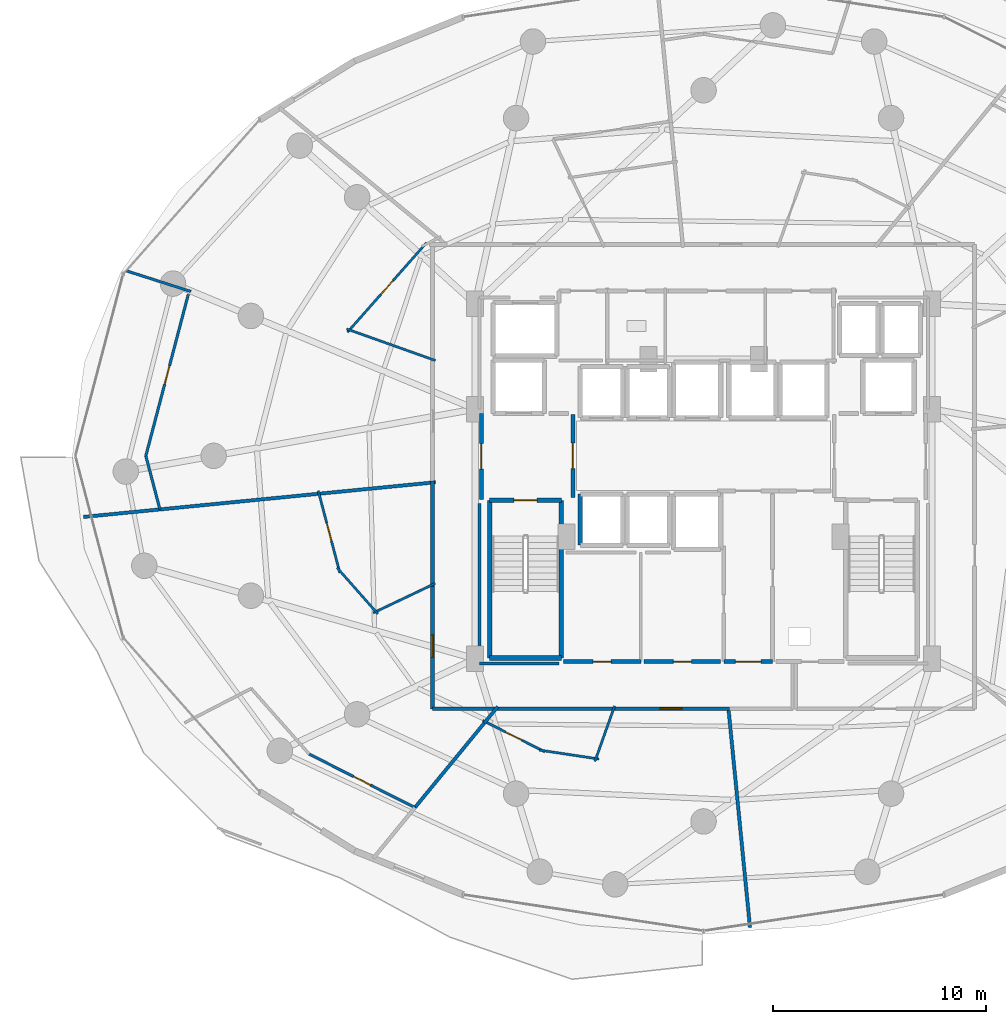
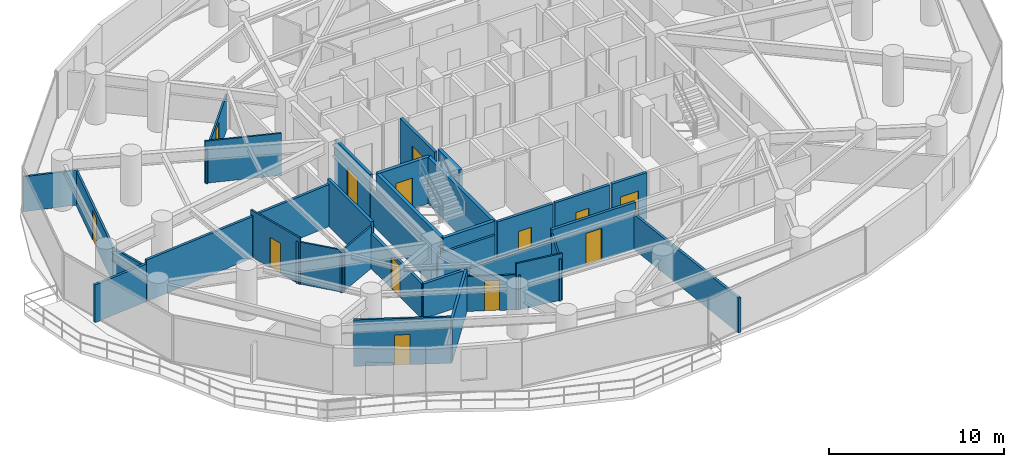
# One storey, part 26 of 33: 35 walls, 13 doors, 13 openings.
"""IFC4 building model written with IfcOpenShell, lengths in metres."""

from ifc_helpers import new_model, si_unit, direction, frame, frame_2d, origin, place, context, subcontext, project, spatial, rectangle, extrude, material, layer, layer_set, type_object, element, fill, save


model = new_model("IFC4")

# Units and contexts
model_context = context("Model", 3, precision=1e-05, world=origin(), true_north=direction((0.0, 1.0)))
body_context = subcontext(model_context, "Body", "Model", "MODEL_VIEW")
ifc_project = project(units=[si_unit("LENGTHUNIT", "METRE"), si_unit("AREAUNIT", "SQUARE_METRE"), si_unit("VOLUMEUNIT", "CUBIC_METRE"), si_unit("PLANEANGLEUNIT", "RADIAN"), si_unit("MASSUNIT", "GRAM", prefix="KILO")], contexts=[model_context])

# Site, building, storey
site_placement = place(None, origin())
site = spatial("IfcSite", under=ifc_project, at=site_placement, CompositionType="ELEMENT")
building_placement = place(site_placement, origin())
building = spatial("IfcBuilding", under=site, at=building_placement, Name="Vorneva Point Tower", CompositionType="ELEMENT")
storey_placement = place(building_placement, frame((0.0, 0.0, 59.0)))
storey = spatial("IfcBuildingStorey", under=building, at=storey_placement, Name="L15", CompositionType="ELEMENT", Elevation=59.0)

# Wall
ifc_material_1 = material(Name="Fire-rated acoustic gypsum stud partition", Category="gypsum")
ifc_layer_1 = layer(ifc_material_1, 0.110107421875)
ifc_layer_set_1 = layer_set([ifc_layer_1], Name="Fire-rated acoustic gypsum stud partition")
wall_type_1 = type_object("IfcWallType", Name="WL-PART-110", PredefinedType="PARTITIONING", material=ifc_layer_set_1)
wall_1_placement = place(storey_placement, frame((25.3818359375, 30.487060546875, 0.0), z_axis=(0.0, 0.0, 1.0), x_axis=(-0.942199995763, 0.335050993111, 0.0)))
element("IfcWall", 1, at=wall_1_placement, inside=storey, type_object=wall_type_1, Name="L15 Interior Partition 072", PredefinedType="PARTITIONING", context=body_context, shape_type="SweptSolid", body=[
    extrude(rectangle(XDim=4.428955078125, YDim=0.110107421875, at=frame_2d((2.21435546875, 0.0))), origin(), (0.0, 0.0, 1.0), 2.928955078125),
])

# Wall, opening, door
wall_2_placement = place(storey_placement, frame((21.248291015625, 31.819091796875, 0.0), z_axis=(0.0, 0.0, 1.0), x_axis=(0.662135950736, 0.749383735307, 0.0)))
wall_2 = element("IfcWall", 2, at=wall_2_placement, inside=storey, type_object=wall_type_1, Name="L15 Interior Partition 073", PredefinedType="PARTITIONING", context=body_context, shape_type="SweptSolid", body=[
    extrude(rectangle(XDim=5.618896484375, YDim=0.110107421875, at=frame_2d((2.8095703125, 0.0))), origin(), (0.0, 0.0, 1.0), 2.431884765625),
])
opening_1_placement = place(wall_2_placement, frame((2.384521484375, 0.0, 0.0)))
opening_1 = element("IfcOpeningElement", 3, at=opening_1_placement, cuts=wall_2, Name="Opening ID-02", PredefinedType="OPENING", context=body_context, shape_type="SweptSolid", body=[
    extrude(rectangle(XDim=0.85009765625, YDim=2.10009765625, at=frame_2d((0.425048828125, 1.050048828125))), frame((0.0, 0.06982421875, 0.0), z_axis=(0.0, -1.0, 0.0), x_axis=(1.0, 0.0, 0.0)), (0.0, 0.0, 1.0), 0.139892578125),
])
ifc_material_2 = material(Name="Engineered oak fire-rated door leaf", Category="wood")
door_type_1 = type_object("IfcDoorType", Name="DR-BATH-850", OperationType="NOTDEFINED", PredefinedType="DOOR", material=ifc_material_2)
door_1_placement = place(opening_1_placement, origin())
door_1 = element("IfcDoor", 4, at=door_1_placement, inside=storey, type_object=door_type_1, Name="L15 Door Junior Suite L15-04 / En-Suite Bathroom L15-04", OperationType="SINGLE_SWING_LEFT", OverallHeight=2.10009765625, OverallWidth=0.85009765625, PredefinedType="DOOR", context=body_context, shape_type="SweptSolid", body=[
    extrude(rectangle(XDim=0.85009765625, YDim=2.10009765625, at=frame_2d((0.425048828125, 1.050048828125))), frame((0.0, 0.02490234375, 0.0), z_axis=(0.0, -1.0, 0.0), x_axis=(1.0, 0.0, 0.0)), (0.0, 0.0, 1.0), 0.050048828125),
])
fill(opening_1, door_1)

# Walls
wall_3_placement = place(storey_placement, frame((25.37646484375, 19.9990234375, 0.0), z_axis=(0.0, 0.0, 1.0), x_axis=(-0.903186785932, -0.429247748647, 0.0)))
element("IfcWall", 5, at=wall_3_placement, inside=storey, type_object=wall_type_1, Name="L15 Interior Partition 081", PredefinedType="PARTITIONING", context=body_context, shape_type="SweptSolid", body=[
    extrude(rectangle(XDim=3.23388671875, YDim=0.110107421875, at=frame_2d((1.616943359375, 0.0))), origin(), (0.0, 0.0, 1.0), 2.928955078125),
])
wall_4_placement = place(storey_placement, frame((22.6748046875, 18.566162109375, 0.0), z_axis=(0.0, 0.0, 1.0), x_axis=(-0.661981720099, 0.749519981224, 0.0)))
element("IfcWall", 6, at=wall_4_placement, inside=storey, type_object=wall_type_1, Name="L15 Interior Partition 082", PredefinedType="PARTITIONING", context=body_context, shape_type="SweptSolid", body=[
    extrude(rectangle(XDim=2.89208984375, YDim=0.110107421875, at=frame_2d((1.446044921875, 0.0))), origin(), (0.0, 0.0, 1.0), 2.928955078125),
])

# Wall, opening, door
wall_5_placement = place(storey_placement, frame((20.888671875, 20.49365234375, 0.0), z_axis=(0.0, 0.0, 1.0), x_axis=(-0.254405980461, 0.967097511684, 0.0)))
wall_5 = element("IfcWall", 7, at=wall_5_placement, inside=storey, type_object=wall_type_1, Name="L15 Interior Partition 083", PredefinedType="PARTITIONING", context=body_context, shape_type="SweptSolid", body=[
    extrude(rectangle(XDim=3.9912109375, YDim=0.110107421875, at=frame_2d((1.99560546875, 0.0))), origin(), (0.0, 0.0, 1.0), 3.239990234375),
])
opening_2_placement = place(wall_5_placement, frame((1.570556640625, 0.0, 0.0)))
opening_2 = element("IfcOpeningElement", 8, at=opening_2_placement, cuts=wall_5, Name="Opening ID-02", PredefinedType="OPENING", context=body_context, shape_type="SweptSolid", body=[
    extrude(rectangle(XDim=0.85009765625, YDim=2.10009765625, at=frame_2d((0.425048828125, 1.050048828125))), frame((0.0, 0.06982421875, 0.0), z_axis=(0.0, -1.0, 0.0), x_axis=(1.0, 0.0, 0.0)), (0.0, 0.0, 1.0), 0.139892578125),
])
door_2_placement = place(opening_2_placement, origin())
door_2 = element("IfcDoor", 9, at=door_2_placement, inside=storey, type_object=door_type_1, Name="L15 Door Executive Suite L15-05 / En-Suite Bathroom L15-05", OperationType="SINGLE_SWING_LEFT", OverallHeight=2.10009765625, OverallWidth=0.85009765625, PredefinedType="DOOR", context=body_context, shape_type="SweptSolid", body=[
    extrude(rectangle(XDim=0.85009765625, YDim=2.10009765625, at=frame_2d((0.425048828125, 1.050048828125))), frame((0.0, 0.02490234375, 0.0), z_axis=(0.0, -1.0, 0.0), x_axis=(1.0, 0.0, 0.0)), (0.0, 0.0, 1.0), 0.050048828125),
])
fill(opening_2, door_2)

# Walls
wall_6_placement = place(storey_placement, frame((33.81494140625, 14.23193359375, 0.0), z_axis=(0.0, 0.0, 1.0), x_axis=(-0.334786713612, -0.942293933117, 0.0)))
element("IfcWall", 10, at=wall_6_placement, inside=storey, type_object=wall_type_1, Name="L15 Interior Partition 090", PredefinedType="PARTITIONING", context=body_context, shape_type="SweptSolid", body=[
    extrude(rectangle(XDim=2.765380859375, YDim=0.110107421875, at=frame_2d((1.3828125, 0.0))), origin(), (0.0, 0.0, 1.0), 2.928955078125),
])
wall_7_placement = place(storey_placement, frame((33.074462890625, 11.7373046875, 0.0), z_axis=(0.0, 0.0, 1.0), x_axis=(-0.988902866222, 0.148563525729, 0.0)))
element("IfcWall", 11, at=wall_7_placement, inside=storey, type_object=wall_type_1, Name="L15 Interior Partition 091", PredefinedType="PARTITIONING", context=body_context, shape_type="SweptSolid", body=[
    extrude(rectangle(XDim=2.83642578125, YDim=0.110107421875, at=frame_2d((1.418212890625, 0.0))), origin(), (0.0, 0.0, 1.0), 3.239990234375),
])

# Wall, opening, door
wall_8_placement = place(storey_placement, frame((30.532958984375, 12.07470703125, 0.0), z_axis=(0.0, 0.0, 1.0), x_axis=(-0.892451870397, 0.451142614952, 0.0)))
wall_8 = element("IfcWall", 12, at=wall_8_placement, inside=storey, type_object=wall_type_1, Name="L15 Interior Partition 092", PredefinedType="PARTITIONING", context=body_context, shape_type="SweptSolid", body=[
    extrude(rectangle(XDim=3.27734375, YDim=0.110107421875, at=frame_2d((1.638671875, 0.0))), origin(), (0.0, 0.0, 1.0), 2.431884765625),
])
opening_3_placement = place(wall_8_placement, frame((1.213623046875, 0.0, 0.0)))
opening_3 = element("IfcOpeningElement", 13, at=opening_3_placement, cuts=wall_8, Name="Opening ID-02", PredefinedType="OPENING", context=body_context, shape_type="SweptSolid", body=[
    extrude(rectangle(XDim=0.85009765625, YDim=2.10009765625, at=frame_2d((0.425048828125, 1.050048828125))), frame((0.0, 0.06982421875, 0.0), z_axis=(0.0, -1.0, 0.0), x_axis=(1.0, 0.0, 0.0)), (0.0, 0.0, 1.0), 0.139892578125),
])
door_3_placement = place(opening_3_placement, origin())
door_3 = element("IfcDoor", 14, at=door_3_placement, inside=storey, type_object=door_type_1, Name="L15 Door Corner Suite L15-06 / En-Suite Bathroom L15-06", OperationType="SINGLE_SWING_LEFT", OverallHeight=2.10009765625, OverallWidth=0.85009765625, PredefinedType="DOOR", context=body_context, shape_type="SweptSolid", body=[
    extrude(rectangle(XDim=0.85009765625, YDim=2.10009765625, at=frame_2d((0.425048828125, 1.050048828125))), frame((0.0, 0.02490234375, 0.0), z_axis=(0.0, -1.0, 0.0), x_axis=(1.0, 0.0, 0.0)), (0.0, 0.0, 1.0), 0.050048828125),
])
fill(opening_3, door_3)

ifc_layer_2 = layer(ifc_material_1, 0.125)
ifc_layer_set_2 = layer_set([ifc_layer_2], Name="Fire-rated acoustic gypsum stud partition")
wall_type_2 = type_object("IfcWallType", Name="WL-PART-125", PredefinedType="PARTITIONING", material=ifc_layer_set_2)
wall_9_placement = place(storey_placement, frame((13.757080078125, 33.593994140625, 0.0), z_axis=(0.0, 0.0, 1.0), x_axis=(-0.254332600041, -0.96711681226, 0.0)))
wall_9 = element("IfcWall", 15, at=wall_9_placement, inside=storey, type_object=wall_type_2, Name="L15 Interior Partition 075", PredefinedType="PARTITIONING", context=body_context, shape_type="SweptSolid", body=[
    extrude(rectangle(XDim=7.852294921875, YDim=0.125, at=frame_2d((3.92626953125, 0.0))), origin(), (0.0, 0.0, 1.0), 2.431884765625),
])
opening_4_placement = place(wall_9_placement, frame((3.47607421875, 0.0, 0.0)))
opening_4 = element("IfcOpeningElement", 16, at=opening_4_placement, cuts=wall_9, Name="Opening ID-01", PredefinedType="OPENING", context=body_context, shape_type="SweptSolid", body=[
    extrude(rectangle(XDim=0.89990234375, YDim=2.10009765625, at=frame_2d((0.449951171875, 1.050048828125))), frame((0.0, 0.077392578125, 0.0), z_axis=(0.0, -1.0, 0.0), x_axis=(1.0, 0.0, 0.0)), (0.0, 0.0, 1.0), 0.15478515625),
])
door_type_2 = type_object("IfcDoorType", Name="DR-ROOM-900", OperationType="NOTDEFINED", PredefinedType="DOOR", material=ifc_material_2)
door_4_placement = place(opening_4_placement, origin())
door_4 = element("IfcDoor", 17, at=door_4_placement, inside=storey, type_object=door_type_2, Name="L15 Door Junior Suite L15-04 / Suite Sitting Study L15-04", OperationType="SINGLE_SWING_RIGHT", OverallHeight=2.10009765625, OverallWidth=0.89990234375, PredefinedType="DOOR", context=body_context, shape_type="SweptSolid", body=[
    extrude(rectangle(XDim=0.89990234375, YDim=2.10009765625, at=frame_2d((0.449951171875, 1.050048828125))), frame((0.0, 0.02490234375, 0.0), z_axis=(0.0, -1.0, 0.0), x_axis=(1.0, 0.0, 0.0)), (0.0, 0.0, 1.0), 0.050048828125),
])
fill(opening_4, door_4)

# Walls
wall_10_placement = place(storey_placement, frame((11.760009765625, 26.0, 0.0), z_axis=(0.0, 0.0, 1.0), x_axis=(0.254465628682, -0.967081818576, 0.0)))
element("IfcWall", 18, at=wall_10_placement, inside=storey, type_object=wall_type_2, Name="L15 Interior Partition 076", PredefinedType="PARTITIONING", context=body_context, shape_type="SweptSolid", body=[
    extrude(rectangle(XDim=2.605712890625, YDim=0.125, at=frame_2d((1.302734375, 0.0))), origin(), (0.0, 0.0, 1.0), 2.431884765625),
])
wall_11_placement = place(storey_placement, frame((10.818115234375, 34.714111328125, 0.0), z_axis=(0.0, 0.0, 1.0), x_axis=(0.952294454461, -0.305180720236, 0.0)))
element("IfcWall", 19, at=wall_11_placement, inside=storey, type_object=wall_type_2, Name="L15 Interior Partition 077", PredefinedType="PARTITIONING", context=body_context, shape_type="SweptSolid", body=[
    extrude(rectangle(XDim=3.215087890625, YDim=0.125, at=frame_2d((1.607421875, 0.0))), origin(), (0.0, 0.0, 1.0), 2.431884765625),
])

# Wall, opening, door
wall_12_placement = place(storey_placement, frame((19.446044921875, 11.968017578125, 0.0), z_axis=(0.0, 0.0, 1.0), x_axis=(0.892518178955, -0.451011419184, 0.0)))
wall_12 = element("IfcWall", 20, at=wall_12_placement, inside=storey, type_object=wall_type_2, Name="L15 Interior Partition 086", PredefinedType="PARTITIONING", context=body_context, shape_type="SweptSolid", body=[
    extrude(rectangle(XDim=5.573974609375, YDim=0.125, at=frame_2d((2.787109375, 0.0))), origin(), (0.0, 0.0, 1.0), 3.239990234375),
])
opening_5_placement = place(wall_12_placement, frame((2.337158203125, 0.0, 0.0)))
opening_5 = element("IfcOpeningElement", 21, at=opening_5_placement, cuts=wall_12, Name="Opening ID-01", PredefinedType="OPENING", context=body_context, shape_type="SweptSolid", body=[
    extrude(rectangle(XDim=0.89990234375, YDim=2.10009765625, at=frame_2d((0.449951171875, 1.050048828125))), frame((0.0, 0.077392578125, 0.0), z_axis=(0.0, -1.0, 0.0), x_axis=(1.0, 0.0, 0.0)), (0.0, 0.0, 1.0), 0.15478515625),
])
door_5_placement = place(opening_5_placement, origin())
door_5 = element("IfcDoor", 22, at=door_5_placement, inside=storey, type_object=door_type_2, Name="L15 Door Executive Suite L15-05 / Suite Sitting Study L15-05", OperationType="SINGLE_SWING_RIGHT", OverallHeight=2.10009765625, OverallWidth=0.89990234375, PredefinedType="DOOR", context=body_context, shape_type="SweptSolid", body=[
    extrude(rectangle(XDim=0.89990234375, YDim=2.10009765625, at=frame_2d((0.449951171875, 1.050048828125))), frame((0.0, 0.02490234375, 0.0), z_axis=(0.0, -1.0, 0.0), x_axis=(1.0, 0.0, 0.0)), (0.0, 0.0, 1.0), 0.050048828125),
])
fill(opening_5, door_5)

# Walls
ifc_layer_3 = layer(ifc_material_1, 0.139892578125)
ifc_layer_set_3 = layer_set([ifc_layer_3], Name="Fire-rated acoustic gypsum stud partition")
wall_type_3 = type_object("IfcWallType", Name="WL-PART-140", PredefinedType="PARTITIONING", material=ifc_layer_set_3)
wall_13_placement = place(storey_placement, frame((31.195068359375, 16.239990234375, 0.0), z_axis=(0.0, 0.0, 1.0), x_axis=(-1.0, 0.0, 0.0)))
element("IfcWall", 23, at=wall_13_placement, inside=storey, type_object=wall_type_3, Name="L15 Interior Closure Partition 108", PredefinedType="PARTITIONING", context=body_context, shape_type="SweptSolid", body=[
    extrude(rectangle(XDim=3.7451171875, YDim=0.139892578125, at=frame_2d((1.87255859375, 0.0))), origin(), (0.0, 0.0, 1.0), 2.431884765625),
])
wall_14_placement = place(storey_placement, frame((27.449951171875, 16.239990234375, 0.0), z_axis=(0.0, 0.0, 1.0), x_axis=(0.0, 1.0, 0.0)))
element("IfcWall", 24, at=wall_14_placement, inside=storey, type_object=wall_type_3, Name="L15 Interior Closure Partition 109", PredefinedType="PARTITIONING", context=body_context, shape_type="SweptSolid", body=[
    extrude(rectangle(XDim=7.513916015625, YDim=0.139892578125, at=frame_2d((3.7568359375, 0.0))), origin(), (0.0, 0.0, 1.0), 2.431884765625),
])
ifc_layer_4 = layer(ifc_material_1, 0.159912109375)
ifc_layer_set_4 = layer_set([ifc_layer_4], Name="Fire-rated acoustic gypsum stud partition")
wall_type_4 = type_object("IfcWallType", Name="WL-PART-160", PredefinedType="PARTITIONING", material=ifc_layer_set_4)
wall_15_placement = place(storey_placement, frame((12.423095703125, 23.47998046875, 0.0), z_axis=(0.0, 0.0, 1.0), x_axis=(0.995173937517, 0.098126622721, 0.0)))
element("IfcWall", 25, at=wall_15_placement, inside=storey, type_object=wall_type_4, Name="L15 Interior Partition 078", PredefinedType="PARTITIONING", context=body_context, shape_type="SweptSolid", body=[
    extrude(rectangle(XDim=7.58349609375, YDim=0.159912109375, at=frame_2d((3.791748046875, 0.0))), origin(), (0.0, 0.0, 1.0), 2.885986328125),
])
wall_16_placement = place(storey_placement, frame((19.830810546875, 24.210205078125, 0.0), z_axis=(0.0, 0.0, 1.0), x_axis=(0.995182391057, 0.098040851333, 0.0)))
element("IfcWall", 26, at=wall_16_placement, inside=storey, type_object=wall_type_4, Name="L15 Interior Partition 079", PredefinedType="PARTITIONING", context=body_context, shape_type="SweptSolid", body=[
    extrude(rectangle(XDim=5.58544921875, YDim=0.159912109375, at=frame_2d((2.792724609375, 0.0))), origin(), (0.0, 0.0, 1.0), 2.928955078125),
])
wall_17_placement = place(storey_placement, frame((8.824951171875, 23.1259765625, 0.0), z_axis=(0.0, 0.0, 1.0), x_axis=(0.995195038103, 0.097912390097, 0.0)))
element("IfcWall", 27, at=wall_17_placement, inside=storey, type_object=wall_type_4, Name="L15 Interior Partition 080", PredefinedType="PARTITIONING", context=body_context, shape_type="SweptSolid", body=[
    extrude(rectangle(XDim=3.615478515625, YDim=0.159912109375, at=frame_2d((1.8076171875, 0.0))), origin(), (0.0, 0.0, 1.0), 2.6240234375),
])
wall_18_placement = place(storey_placement, frame((24.4208984375, 9.4541015625, 0.0), z_axis=(0.0, 0.0, 1.0), x_axis=(0.634420016008, 0.772988514332, 0.0)))
element("IfcWall", 28, at=wall_18_placement, inside=storey, type_object=wall_type_4, Name="L15 Interior Partition 087", PredefinedType="PARTITIONING", context=body_context, shape_type="SweptSolid", body=[
    extrude(rectangle(XDim=5.2822265625, YDim=0.159912109375, at=frame_2d((2.64111328125, 0.0))), origin(), (0.0, 0.0, 1.0), 2.885986328125),
])
wall_19_placement = place(storey_placement, frame((27.683349609375, 13.4287109375, 0.0), z_axis=(0.0, 0.0, 1.0), x_axis=(0.634186727441, 0.77317992391, 0.0)))
element("IfcWall", 29, at=wall_19_placement, inside=storey, type_object=wall_type_4, Name="L15 Interior Partition 088", PredefinedType="PARTITIONING", context=body_context, shape_type="SweptSolid", body=[
    extrude(rectangle(XDim=1.00830078125, YDim=0.159912109375, at=frame_2d((0.504150390625, 0.0))), origin(), (0.0, 0.0, 1.0), 2.431884765625),
])
wall_20_placement = place(storey_placement, frame((40.18505859375, 3.81298828125, 0.0), z_axis=(0.0, 0.0, 1.0), x_axis=(-0.097992958783, 0.99518710805, 0.0)))
element("IfcWall", 30, at=wall_20_placement, inside=storey, type_object=wall_type_4, Name="L15 Interior Partition 093", PredefinedType="PARTITIONING", context=body_context, shape_type="SweptSolid", body=[
    extrude(rectangle(XDim=10.3369140625, YDim=0.159912109375, at=frame_2d((5.16845703125, 0.0))), origin(), (0.0, 0.0, 1.0), 2.431884765625),
])

# Wall, opening, door
ifc_material_3 = material(Name="Autoclaved aerated concrete blockwork", Category="masonry")
ifc_layer_5 = layer(ifc_material_3, 0.179931640625)
ifc_layer_set_5 = layer_set([ifc_layer_5], Name="Autoclaved aerated concrete blockwork")
wall_type_5 = type_object("IfcWallType", Name="WL-PART-180", PredefinedType="PARTITIONING", material=ifc_layer_set_5)
wall_21_placement = place(storey_placement, frame((31.85009765625, 24.044921875, 0.0), z_axis=(0.0, 0.0, 1.0), x_axis=(0.0, 1.0, 0.0)))
wall_21 = element("IfcWall", 31, at=wall_21_placement, inside=storey, type_object=wall_type_5, Name="L15 Interior Partition 001", PredefinedType="PARTITIONING", context=body_context, shape_type="SweptSolid", body=[
    extrude(rectangle(XDim=3.91015625, YDim=0.179931640625, at=frame_2d((1.955078125, 0.0))), origin(), (0.0, 0.0, 1.0), 3.239990234375),
])
opening_6_placement = place(wall_21_placement, frame((1.35498046875, 0.0, 0.0)))
opening_6 = element("IfcOpeningElement", 32, at=opening_6_placement, cuts=wall_21, Name="Opening FD-02", PredefinedType="OPENING", context=body_context, shape_type="SweptSolid", body=[
    extrude(rectangle(XDim=1.199951171875, YDim=2.14990234375, at=frame_2d((0.60009765625, 1.074951171875))), frame((0.0, 0.10498046875, 0.0), z_axis=(0.0, -1.0, 0.0), x_axis=(1.0, 0.0, 0.0)), (0.0, 0.0, 1.0), 0.209716796875),
])
ifc_material_4 = material(Name="Fire-rated powder-coated steel", Category="steel")
door_type_3 = type_object("IfcDoorType", Name="DR-FFL-1200", OperationType="NOTDEFINED", PredefinedType="DOOR", material=ifc_material_4)
door_6_placement = place(opening_6_placement, origin())
door_6 = element("IfcDoor", 33, at=door_6_placement, inside=storey, type_object=door_type_3, Name="L15 Door West Firefighting Lobby / Central Lift Lobby", OperationType="SINGLE_SWING_LEFT", OverallHeight=2.14990234375, OverallWidth=1.199951171875, PredefinedType="DOOR", context=body_context, shape_type="SweptSolid", body=[
    extrude(rectangle(XDim=1.199951171875, YDim=2.14990234375, at=frame_2d((0.60009765625, 1.074951171875))), frame((0.0, 0.02490234375, 0.0), z_axis=(0.0, -1.0, 0.0), x_axis=(1.0, 0.0, 0.0)), (0.0, 0.0, 1.0), 0.050048828125),
])
fill(opening_6, door_6)

wall_22_placement = place(storey_placement, frame((27.550048828125, 28.0, 0.0), z_axis=(0.0, 0.0, 1.0), x_axis=(0.0, -1.0, 0.0)))
wall_22 = element("IfcWall", 34, at=wall_22_placement, inside=storey, type_object=wall_type_5, Name="L15 Interior Partition 002", PredefinedType="PARTITIONING", context=body_context, shape_type="SweptSolid", body=[
    extrude(rectangle(XDim=4.050048828125, YDim=0.179931640625, at=frame_2d((2.02490234375, 0.0))), origin(), (0.0, 0.0, 1.0), 3.239990234375),
])
opening_7_placement = place(wall_22_placement, frame((1.425048828125, 0.0, 0.0)))
opening_7 = element("IfcOpeningElement", 35, at=opening_7_placement, cuts=wall_22, Name="Opening FD-02", PredefinedType="OPENING", context=body_context, shape_type="SweptSolid", body=[
    extrude(rectangle(XDim=1.199951171875, YDim=2.14990234375, at=frame_2d((0.60009765625, 1.074951171875))), frame((0.0, 0.10498046875, 0.0), z_axis=(0.0, -1.0, 0.0), x_axis=(1.0, 0.0, 0.0)), (0.0, 0.0, 1.0), 0.209716796875),
])
door_7_placement = place(opening_7_placement, origin())
door_7 = element("IfcDoor", 36, at=door_7_placement, inside=storey, type_object=door_type_3, Name="L15 Door West Firefighting Lobby / L15 Circulation Corridor", OperationType="SINGLE_SWING_RIGHT", OverallHeight=2.14990234375, OverallWidth=1.199951171875, PredefinedType="DOOR", context=body_context, shape_type="SweptSolid", body=[
    extrude(rectangle(XDim=1.199951171875, YDim=2.14990234375, at=frame_2d((0.60009765625, 1.074951171875))), frame((0.0, 0.02490234375, 0.0), z_axis=(0.0, -1.0, 0.0), x_axis=(1.0, 0.0, 0.0)), (0.0, 0.0, 1.0), 0.050048828125),
])
fill(opening_7, door_7)

wall_23_placement = place(storey_placement, frame((38.949951171875, 16.320068359375, 0.0), z_axis=(0.0, 0.0, 1.0), x_axis=(1.0, 0.0, 0.0)))
wall_23 = element("IfcWall", 37, at=wall_23_placement, inside=storey, type_object=wall_type_5, Name="L15 Interior Partition 013", PredefinedType="PARTITIONING", context=body_context, shape_type="SweptSolid", body=[
    extrude(rectangle(XDim=2.300048828125, YDim=0.179931640625, at=frame_2d((1.14990234375, 0.0))), origin(), (0.0, 0.0, 1.0), 3.239990234375),
])
opening_8_placement = place(wall_23_placement, frame((0.550048828125, 0.0, 0.0)))
opening_8 = element("IfcOpeningElement", 38, at=opening_8_placement, cuts=wall_23, Name="Opening FD-02", PredefinedType="OPENING", context=body_context, shape_type="SweptSolid", body=[
    extrude(rectangle(XDim=1.199951171875, YDim=2.14990234375, at=frame_2d((0.60009765625, 1.074951171875))), frame((0.0, 0.10498046875, 0.0), z_axis=(0.0, -1.0, 0.0), x_axis=(1.0, 0.0, 0.0)), (0.0, 0.0, 1.0), 0.209716796875),
])
door_8_placement = place(opening_8_placement, origin())
door_8 = element("IfcDoor", 39, at=door_8_placement, inside=storey, type_object=door_type_3, Name="L15 Door Core Service Lobby / L15 Circulation Corridor", OperationType="SINGLE_SWING_RIGHT", OverallHeight=2.14990234375, OverallWidth=1.199951171875, PredefinedType="DOOR", context=body_context, shape_type="SweptSolid", body=[
    extrude(rectangle(XDim=1.199951171875, YDim=2.14990234375, at=frame_2d((0.60009765625, 1.074951171875))), frame((0.0, 0.02490234375, 0.0), z_axis=(0.0, -1.0, 0.0), x_axis=(1.0, 0.0, 0.0)), (0.0, 0.0, 1.0), 0.050048828125),
])
fill(opening_8, door_8)

wall_24_placement = place(storey_placement, frame((31.39990234375, 16.320068359375, 0.0), z_axis=(0.0, 0.0, 1.0), x_axis=(1.0, 0.0, 0.0)))
wall_24 = element("IfcWall", 40, at=wall_24_placement, inside=storey, type_object=wall_type_5, Name="L15 Interior Partition 022", PredefinedType="PARTITIONING", context=body_context, shape_type="SweptSolid", body=[
    extrude(rectangle(XDim=3.650146484375, YDim=0.179931640625, at=frame_2d((1.8251953125, 0.0))), origin(), (0.0, 0.0, 1.0), 3.239990234375),
])
opening_9_placement = place(wall_24_placement, frame((1.39990234375, 0.0, 0.0)))
opening_9 = element("IfcOpeningElement", 41, at=opening_9_placement, cuts=wall_24, Name="Opening ID-02", PredefinedType="OPENING", context=body_context, shape_type="SweptSolid", body=[
    extrude(rectangle(XDim=0.85009765625, YDim=2.10009765625, at=frame_2d((0.425048828125, 1.050048828125))), frame((0.0, 0.10498046875, 0.0), z_axis=(0.0, -1.0, 0.0), x_axis=(1.0, 0.0, 0.0)), (0.0, 0.0, 1.0), 0.209716796875),
])
door_9_placement = place(opening_9_placement, origin())
door_9 = element("IfcDoor", 42, at=door_9_placement, inside=storey, type_object=door_type_1, Name="L15 Door Housekeeping Room / L15 Circulation Corridor", OperationType="SINGLE_SWING_LEFT", OverallHeight=2.10009765625, OverallWidth=0.85009765625, PredefinedType="DOOR", context=body_context, shape_type="SweptSolid", body=[
    extrude(rectangle(XDim=0.85009765625, YDim=2.10009765625, at=frame_2d((0.425048828125, 1.050048828125))), frame((0.0, 0.02490234375, 0.0), z_axis=(0.0, -1.0, 0.0), x_axis=(1.0, 0.0, 0.0)), (0.0, 0.0, 1.0), 0.050048828125),
])
fill(opening_9, door_9)

wall_25_placement = place(storey_placement, frame((35.199951171875, 16.320068359375, 0.0), z_axis=(0.0, 0.0, 1.0), x_axis=(1.0, 0.0, 0.0)))
wall_25 = element("IfcWall", 43, at=wall_25_placement, inside=storey, type_object=wall_type_5, Name="L15 Interior Partition 023", PredefinedType="PARTITIONING", context=body_context, shape_type="SweptSolid", body=[
    extrude(rectangle(XDim=3.60009765625, YDim=0.179931640625, at=frame_2d((1.800048828125, 0.0))), origin(), (0.0, 0.0, 1.0), 3.239990234375),
])
opening_10_placement = place(wall_25_placement, frame((1.375, 0.0, 0.0)))
opening_10 = element("IfcOpeningElement", 44, at=opening_10_placement, cuts=wall_25, Name="Opening ID-02", PredefinedType="OPENING", context=body_context, shape_type="SweptSolid", body=[
    extrude(rectangle(XDim=0.85009765625, YDim=2.10009765625, at=frame_2d((0.425048828125, 1.050048828125))), frame((0.0, 0.10498046875, 0.0), z_axis=(0.0, -1.0, 0.0), x_axis=(1.0, 0.0, 0.0)), (0.0, 0.0, 1.0), 0.209716796875),
])
door_10_placement = place(opening_10_placement, origin())
door_10 = element("IfcDoor", 45, at=door_10_placement, inside=storey, type_object=door_type_1, Name="L15 Door Linen Store / L15 Circulation Corridor", OperationType="SINGLE_SWING_RIGHT", OverallHeight=2.10009765625, OverallWidth=0.85009765625, PredefinedType="DOOR", context=body_context, shape_type="SweptSolid", body=[
    extrude(rectangle(XDim=0.85009765625, YDim=2.10009765625, at=frame_2d((0.425048828125, 1.050048828125))), frame((0.0, 0.02490234375, 0.0), z_axis=(0.0, -1.0, 0.0), x_axis=(1.0, 0.0, 0.0)), (0.0, 0.0, 1.0), 0.050048828125),
])
fill(opening_10, door_10)

wall_26_placement = place(storey_placement, frame((25.25, 19.9990234375, 0.0), z_axis=(0.0, 0.0, 1.0), x_axis=(0.0, -1.0, 0.0)))
wall_26 = element("IfcWall", 46, at=wall_26_placement, inside=storey, type_object=wall_type_5, Name="L15 Interior Partition 034", PredefinedType="PARTITIONING", context=body_context, shape_type="SweptSolid", body=[
    extrude(rectangle(XDim=5.89892578125, YDim=0.179931640625, at=frame_2d((2.949462890625, 0.0))), origin(), (0.0, 0.0, 1.0), 2.431884765625),
])
opening_11_placement = place(wall_26_placement, frame((2.424560546875, 0.0, 0.0)))
opening_11 = element("IfcOpeningElement", 47, at=opening_11_placement, cuts=wall_26, Name="Opening UD-02", PredefinedType="OPENING", context=body_context, shape_type="SweptSolid", body=[
    extrude(rectangle(XDim=1.050048828125, YDim=2.199951171875, at=frame_2d((0.52490234375, 1.10009765625))), frame((0.0, 0.10498046875, 0.0), z_axis=(0.0, -1.0, 0.0), x_axis=(1.0, 0.0, 0.0)), (0.0, 0.0, 1.0), 0.209716796875),
])
door_type_4 = type_object("IfcDoorType", Name="DR-SUITE-1050", OperationType="NOTDEFINED", PredefinedType="DOOR", material=ifc_material_2)
door_11_placement = place(opening_11_placement, origin())
door_11 = element("IfcDoor", 48, at=door_11_placement, inside=storey, type_object=door_type_4, Name="L15 Door L15 Circulation Corridor / Executive Suite L15-05", OperationType="SINGLE_SWING_LEFT", OverallHeight=2.199951171875, OverallWidth=1.050048828125, PredefinedType="DOOR", context=body_context, shape_type="SweptSolid", body=[
    extrude(rectangle(XDim=1.050048828125, YDim=2.199951171875, at=frame_2d((0.52490234375, 1.10009765625))), frame((0.0, 0.02490234375, 0.0), z_axis=(0.0, -1.0, 0.0), x_axis=(1.0, 0.0, 0.0)), (0.0, 0.0, 1.0), 0.050048828125),
])
fill(opening_11, door_11)

# Walls
wall_27_placement = place(storey_placement, frame((25.25, 14.10009765625, 0.0), z_axis=(0.0, 0.0, 1.0), x_axis=(1.0, 0.0, 0.0)))
element("IfcWall", 49, at=wall_27_placement, inside=storey, type_object=wall_type_5, Name="L15 Interior Partition 035", PredefinedType="PARTITIONING", context=body_context, shape_type="SweptSolid", body=[
    extrude(rectangle(XDim=3.0439453125, YDim=0.179931640625, at=frame_2d((1.52197265625, 0.0))), origin(), (0.0, 0.0, 1.0), 2.431884765625),
])
wall_28_placement = place(storey_placement, frame((25.25, 24.823974609375, 0.0), z_axis=(0.0, 0.0, 1.0), x_axis=(0.0, -1.0, 0.0)))
element("IfcWall", 50, at=wall_28_placement, inside=storey, type_object=wall_type_5, Name="L15 Interior Partition 036", PredefinedType="PARTITIONING", context=body_context, shape_type="SweptSolid", body=[
    extrude(rectangle(XDim=4.965087890625, YDim=0.179931640625, at=frame_2d((2.482421875, 0.0))), origin(), (0.0, 0.0, 1.0), 3.239990234375),
])

# Wall, opening, door
wall_29_placement = place(storey_placement, frame((33.7041015625, 14.10009765625, 0.0), z_axis=(0.0, 0.0, 1.0), x_axis=(1.0, 0.0, 0.0)))
wall_29 = element("IfcWall", 51, at=wall_29_placement, inside=storey, type_object=wall_type_5, Name="L15 Interior Partition 037", PredefinedType="PARTITIONING", context=body_context, shape_type="SweptSolid", body=[
    extrude(rectangle(XDim=5.52783203125, YDim=0.179931640625, at=frame_2d((2.763916015625, 0.0))), origin(), (0.0, 0.0, 1.0), 3.239990234375),
])
opening_12_placement = place(wall_29_placement, frame((2.239013671875, 0.0, 0.0)))
opening_12 = element("IfcOpeningElement", 52, at=opening_12_placement, cuts=wall_29, Name="Opening UD-02", PredefinedType="OPENING", context=body_context, shape_type="SweptSolid", body=[
    extrude(rectangle(XDim=1.050048828125, YDim=2.199951171875, at=frame_2d((0.52490234375, 1.10009765625))), frame((0.0, 0.10498046875, 0.0), z_axis=(0.0, -1.0, 0.0), x_axis=(1.0, 0.0, 0.0)), (0.0, 0.0, 1.0), 0.209716796875),
])
door_12_placement = place(opening_12_placement, origin())
door_12 = element("IfcDoor", 53, at=door_12_placement, inside=storey, type_object=door_type_4, Name="L15 Door L15 Circulation Corridor / Corner Suite L15-06", OperationType="SINGLE_SWING_RIGHT", OverallHeight=2.199951171875, OverallWidth=1.050048828125, PredefinedType="DOOR", context=body_context, shape_type="SweptSolid", body=[
    extrude(rectangle(XDim=1.050048828125, YDim=2.199951171875, at=frame_2d((0.52490234375, 1.10009765625))), frame((0.0, 0.02490234375, 0.0), z_axis=(0.0, -1.0, 0.0), x_axis=(1.0, 0.0, 0.0)), (0.0, 0.0, 1.0), 0.050048828125),
])
fill(opening_12, door_12)

# Wall
wall_30_placement = place(storey_placement, frame((28.154052734375, 14.10009765625, 0.0), z_axis=(0.0, 0.0, 1.0), x_axis=(1.0, 0.0, 0.0)))
element("IfcWall", 54, at=wall_30_placement, inside=storey, type_object=wall_type_5, Name="L15 Interior Partition 038", PredefinedType="PARTITIONING", context=body_context, shape_type="SweptSolid", body=[
    extrude(rectangle(XDim=5.68994140625, YDim=0.179931640625, at=frame_2d((2.844970703125, 0.0))), origin(), (0.0, 0.0, 1.0), 2.431884765625),
])

# Wall, opening, door
ifc_material_5 = material(Name="Concrete B50 (C40/50)", Category="concrete")
ifc_layer_6 = layer(ifc_material_5, 0.219970703125)
ifc_layer_set_6 = layer_set([ifc_layer_6], Name="Concrete B50 (C40/50)")
wall_type_6 = type_object("IfcWallType", Name="WL-SHFT-220", PredefinedType="SOLIDWALL", material=ifc_layer_set_6)
wall_31_placement = place(storey_placement, frame((27.93994140625, 23.909912109375, 0.0), z_axis=(0.0, 0.0, 1.0), x_axis=(1.0, 0.0, 0.0)))
wall_31 = element("IfcWall", 55, at=wall_31_placement, inside=storey, type_object=wall_type_6, Name="L15 Exit Stair ST1 Shaft Wall near", PredefinedType="SOLIDWALL", context=body_context, shape_type="SweptSolid", body=[
    extrude(rectangle(XDim=3.3701171875, YDim=0.219970703125, at=frame_2d((1.68505859375, 0.0))), origin(), (0.0, 0.0, 1.0), 3.239990234375),
])
opening_13_placement = place(wall_31_placement, frame((1.135009765625, 0.0, 0.0)))
opening_13 = element("IfcOpeningElement", 56, at=opening_13_placement, cuts=wall_31, Name="Opening FD-01", PredefinedType="OPENING", context=body_context, shape_type="SweptSolid", body=[
    extrude(rectangle(XDim=1.10009765625, YDim=2.14990234375, at=frame_2d((0.550048828125, 1.074951171875))), frame((0.0, 0.125, 0.0), z_axis=(0.0, -1.0, 0.0), x_axis=(1.0, 0.0, 0.0)), (0.0, 0.0, 1.0), 0.249755859375),
])
door_type_5 = type_object("IfcDoorType", Name="DR-STAIR-1100", OperationType="NOTDEFINED", PredefinedType="DOOR", material=ifc_material_4)
door_13_placement = place(opening_13_placement, origin())
door_13 = element("IfcDoor", 57, at=door_13_placement, inside=storey, type_object=door_type_5, Name="L15 Exit Stair ST1 Fire Door", OperationType="SINGLE_SWING_LEFT", OverallHeight=2.14990234375, OverallWidth=1.10009765625, PredefinedType="DOOR", context=body_context, shape_type="SweptSolid", body=[
    extrude(rectangle(XDim=1.10009765625, YDim=2.14990234375, at=frame_2d((0.550048828125, 1.074951171875))), frame((0.0, 0.02490234375, 0.0), z_axis=(0.0, -1.0, 0.0), x_axis=(1.0, 0.0, 0.0)), (0.0, 0.0, 1.0), 0.050048828125),
])
fill(opening_13, door_13)

# Walls
wall_32_placement = place(storey_placement, frame((31.31005859375, 23.909912109375, 0.0), z_axis=(0.0, 0.0, 1.0), x_axis=(0.0, -1.0, 0.0)))
element("IfcWall", 58, at=wall_32_placement, inside=storey, type_object=wall_type_6, Name="L15 Exit Stair ST1 Shaft Wall right", PredefinedType="SOLIDWALL", context=body_context, shape_type="SweptSolid", body=[
    extrude(rectangle(XDim=7.419921875, YDim=0.219970703125, at=frame_2d((3.7099609375, 0.0))), origin(), (0.0, 0.0, 1.0), 3.239990234375),
])
wall_33_placement = place(storey_placement, frame((31.31005859375, 16.489990234375, 0.0), z_axis=(0.0, 0.0, 1.0), x_axis=(-1.0, 0.0, 0.0)))
element("IfcWall", 59, at=wall_33_placement, inside=storey, type_object=wall_type_6, Name="L15 Exit Stair ST1 Shaft Wall far", PredefinedType="SOLIDWALL", context=body_context, shape_type="SweptSolid", body=[
    extrude(rectangle(XDim=3.3701171875, YDim=0.219970703125, at=frame_2d((1.68505859375, 0.0))), origin(), (0.0, 0.0, 1.0), 3.239990234375),
])
wall_34_placement = place(storey_placement, frame((27.93994140625, 16.489990234375, 0.0), z_axis=(0.0, 0.0, 1.0), x_axis=(0.0, 1.0, 0.0)))
element("IfcWall", 60, at=wall_34_placement, inside=storey, type_object=wall_type_6, Name="L15 Exit Stair ST1 Shaft Wall left", PredefinedType="SOLIDWALL", context=body_context, shape_type="SweptSolid", body=[
    extrude(rectangle(XDim=7.419921875, YDim=0.219970703125, at=frame_2d((3.7099609375, 0.0))), origin(), (0.0, 0.0, 1.0), 3.239990234375),
])
wall_35_placement = place(storey_placement, frame((32.199951171875, 24.199951171875, 0.0), z_axis=(0.0, 0.0, 1.0), x_axis=(0.0, -1.0, 0.0)))
element("IfcWall", 61, at=wall_35_placement, inside=storey, type_object=wall_type_6, Name="L15 Lift PL4 Shaft Wall -X", PredefinedType="SOLIDWALL", context=body_context, shape_type="SweptSolid", body=[
    extrude(rectangle(XDim=2.39990234375, YDim=0.219970703125, at=frame_2d((1.199951171875, 0.0))), origin(), (0.0, 0.0, 1.0), 3.239990234375),
])

save(model, "model.ifc")
